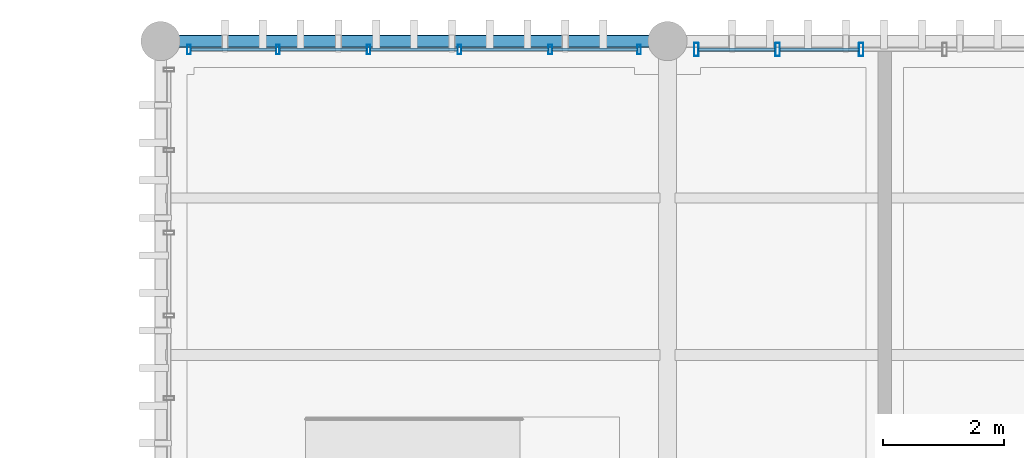
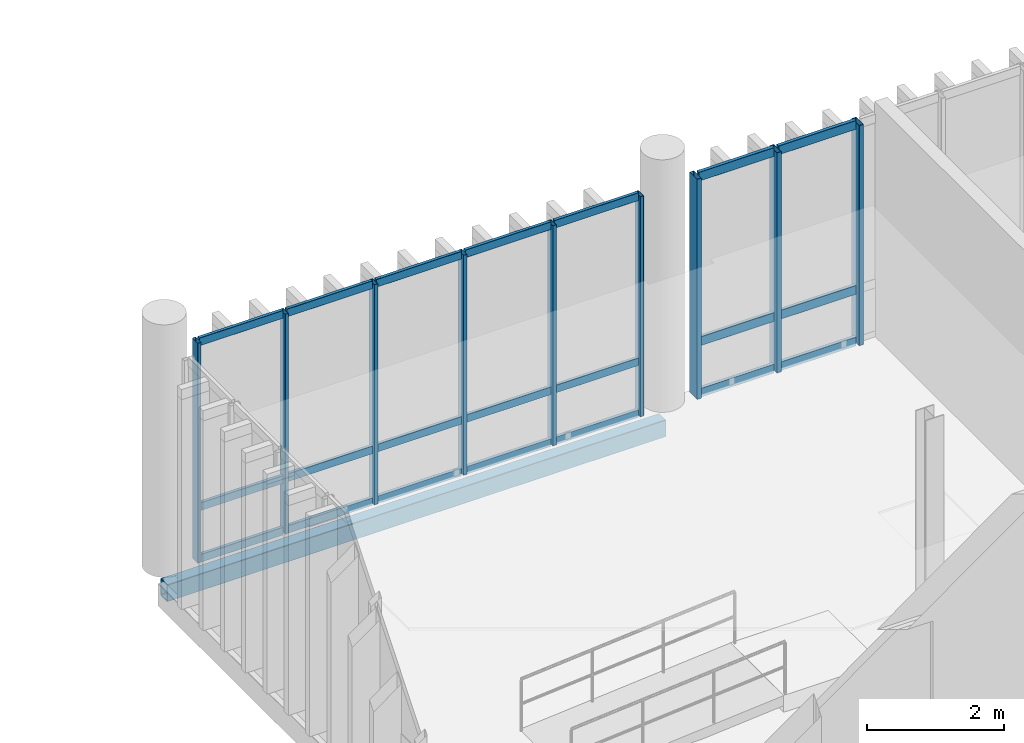
# One storey, part 10 of 19: 30 members, 1 beam, 2 elements without a shape of their own.
"""IFC4 building model written with IfcOpenShell, lengths in metres."""

from ifc_helpers import new_model, si_unit, direction, frame, origin_with_axes, origin_2d_with_axis, place, context, subcontext, project, spatial, hollow_rectangle, extrude, material, material_profile, profile_set, type_object, element, aggregate, save


model = new_model("IFC4")

# Units and contexts
model_context = context("Model", 3, precision=1e-05, world=origin_with_axes(), true_north=direction((0.0, 1.0)))
body_context = subcontext(model_context, "Body", "Model", "MODEL_VIEW")
ifc_project = project(units=[si_unit("LENGTHUNIT", "METRE"), si_unit("AREAUNIT", "SQUARE_METRE"), si_unit("VOLUMEUNIT", "CUBIC_METRE"), si_unit("PLANEANGLEUNIT", "RADIAN"), si_unit("MASSUNIT", "GRAM", prefix="KILO"), si_unit("THERMODYNAMICTEMPERATUREUNIT", "KELVIN")], contexts=[model_context])

# Site, building, storey
site_placement = place(None, origin_with_axes())
site = spatial("IfcSite", under=ifc_project, at=site_placement, CompositionType="ELEMENT")
building_placement = place(site_placement, origin_with_axes())
building = spatial("IfcBuilding", under=site, at=building_placement, Name="Montbau Bow Law Courts", CompositionType="ELEMENT")
storey_placement = place(building_placement, frame((0.0, 0.0, 43.5), z_axis=(0.0, 0.0, 1.0), x_axis=(1.0, 0.0, 0.0)))
storey = spatial("IfcBuildingStorey", under=building, at=storey_placement, Name="L09", CompositionType="ELEMENT", Elevation=43.5)

# Beam
ifc_material_1 = material(Name="Steel CSA G40.21 Grade 350WT (350 MPa)", Category="steel")
ifc_material_profile_1 = material_profile(ifc_material_1, hollow_rectangle(XDim=0.203, YDim=0.305, WallThickness=0.0127, InnerFilletRadius=0.0254, OuterFilletRadius=0.0127, at=origin_2d_with_axis()), Name="HSS305X203X13", Category="Main", Priority=0)
ifc_profile_set_1 = profile_set([ifc_material_profile_1], Name="Steel CSA G40.21 Grade 350WT (350 MPa)")
beam_type = type_object("IfcBeamType", Name="B-SPN-02", PredefinedType="SPANDREL", material=ifc_profile_set_1)
beam_placement = place(None, frame((138.6, 111.0, 43.047), z_axis=(1.0, 0.0, 0.0), x_axis=(0.0, 1.0, 0.0)))
element("IfcBeam", 1, at=beam_placement, inside=storey, type_object=beam_type, Name="SPN-L09-S1396:bm2_1399", PredefinedType="SPANDREL", context=body_context, shape_type="SweptSolid", body=[
    extrude(hollow_rectangle(XDim=0.203, YDim=0.305, WallThickness=0.0127, InnerFilletRadius=0.0254, OuterFilletRadius=0.0127, at=origin_2d_with_axis()), origin_with_axes(), (0.0, 0.0, 1.0), 8.4),
])

# Curtain wall, members
ifc_material_2 = material(Name="Thermally Broken Extruded Aluminium AA 6063-T6", Category="aluminium")
curtain_wall_type = type_object("IfcCurtainWallType", Name="CW-CRM-03", PredefinedType="NOTDEFINED", material=ifc_material_2)
curtain_wall_1_placement = place(None, frame((147.44, 110.86, 43.5), z_axis=(0.0, 0.0, 1.0), x_axis=(1.0, 0.0, 0.0)))
curtain_wall_1 = element("IfcCurtainWall", 2, at=curtain_wall_1_placement, inside=storey, type_object=curtain_wall_type, Name="CW-L09-390:cw_0390", PredefinedType="NOTDEFINED")
ifc_material_profile_2 = material_profile(ifc_material_2, hollow_rectangle(XDim=0.075, YDim=0.22, WallThickness=0.005, InnerFilletRadius=0.01, OuterFilletRadius=0.005, at=origin_2d_with_axis()), Name="CWM-220X75", Category="Main", Priority=0)
ifc_profile_set_2 = profile_set([ifc_material_profile_2], Name="Thermally Broken Extruded Aluminium AA 6063-T6")
member_type_1 = type_object("IfcMemberType", Name="M-MUL-01", PredefinedType="MULLION", material=ifc_profile_set_2)
member_1_placement = place(None, frame((147.477, 110.86, 43.5), z_axis=(0.0, 0.0, 1.0), x_axis=(1.0, 0.0, 0.0)))
member_1 = element("IfcMember", 3, at=member_1_placement, type_object=member_type_1, Name="CW-L09-390-M01:cw_0390_M01", PredefinedType="MULLION", context=body_context, shape_type="SweptSolid", body=[
    extrude(hollow_rectangle(XDim=0.075, YDim=0.22, WallThickness=0.005, InnerFilletRadius=0.01, OuterFilletRadius=0.005, at=origin_2d_with_axis()), origin_with_axes(), (0.0, 0.0, 1.0), 3.92),
])
member_2_placement = place(None, frame((148.824, 110.86, 43.5), z_axis=(0.0, 0.0, 1.0), x_axis=(1.0, 0.0, 0.0)))
member_2 = element("IfcMember", 4, at=member_2_placement, type_object=member_type_1, Name="CW-L09-390-M02:cw_0390_M02", PredefinedType="MULLION", context=body_context, shape_type="SweptSolid", body=[
    extrude(hollow_rectangle(XDim=0.075, YDim=0.22, WallThickness=0.005, InnerFilletRadius=0.01, OuterFilletRadius=0.005, at=origin_2d_with_axis()), origin_with_axes(), (0.0, 0.0, 1.0), 3.92),
])
member_3_placement = place(None, frame((150.208, 110.86, 43.5), z_axis=(0.0, 0.0, 1.0), x_axis=(1.0, 0.0, 0.0)))
member_3 = element("IfcMember", 5, at=member_3_placement, type_object=member_type_1, Name="CW-L09-390-M03:cw_0390_M03", PredefinedType="MULLION", context=body_context, shape_type="SweptSolid", body=[
    extrude(hollow_rectangle(XDim=0.075, YDim=0.22, WallThickness=0.005, InnerFilletRadius=0.01, OuterFilletRadius=0.005, at=origin_2d_with_axis()), origin_with_axes(), (0.0, 0.0, 1.0), 3.92),
])

curtain_wall_2_placement = place(None, frame((139.04, 110.86, 43.5), z_axis=(0.0, 0.0, 1.0), x_axis=(1.0, 0.0, 0.0)))
curtain_wall_2 = element("IfcCurtainWall", 6, at=curtain_wall_2_placement, inside=storey, type_object=curtain_wall_type, Name="CW-L09-389:cw_0389", PredefinedType="NOTDEFINED")
ifc_material_profile_3 = material_profile(ifc_material_2, hollow_rectangle(XDim=0.06, YDim=0.16, WallThickness=0.004, InnerFilletRadius=0.008, OuterFilletRadius=0.004, at=origin_2d_with_axis()), Name="CWM-160X60", Category="Main", Priority=0)
ifc_profile_set_3 = profile_set([ifc_material_profile_3], Name="Thermally Broken Extruded Aluminium AA 6063-T6")
member_type_2 = type_object("IfcMemberType", Name="M-MUL-03", PredefinedType="MULLION", material=ifc_profile_set_3)
member_4_placement = place(None, frame((139.07, 110.86, 43.5), z_axis=(0.0, 0.0, 1.0), x_axis=(1.0, 0.0, 0.0)))
member_4 = element("IfcMember", 7, at=member_4_placement, type_object=member_type_2, Name="CW-L09-389-M01:cw_0389_M01", PredefinedType="MULLION", context=body_context, shape_type="SweptSolid", body=[
    extrude(hollow_rectangle(XDim=0.06, YDim=0.16, WallThickness=0.004, InnerFilletRadius=0.008, OuterFilletRadius=0.004, at=origin_2d_with_axis()), origin_with_axes(), (0.0, 0.0, 1.0), 3.92),
])
member_5_placement = place(None, frame((140.544, 110.86, 43.5), z_axis=(0.0, 0.0, 1.0), x_axis=(1.0, 0.0, 0.0)))
member_5 = element("IfcMember", 8, at=member_5_placement, type_object=member_type_2, Name="CW-L09-389-M02:cw_0389_M02", PredefinedType="MULLION", context=body_context, shape_type="SweptSolid", body=[
    extrude(hollow_rectangle(XDim=0.06, YDim=0.16, WallThickness=0.004, InnerFilletRadius=0.008, OuterFilletRadius=0.004, at=origin_2d_with_axis()), origin_with_axes(), (0.0, 0.0, 1.0), 3.92),
])
member_6_placement = place(None, frame((142.048, 110.86, 43.5), z_axis=(0.0, 0.0, 1.0), x_axis=(1.0, 0.0, 0.0)))
member_6 = element("IfcMember", 9, at=member_6_placement, type_object=member_type_2, Name="CW-L09-389-M03:cw_0389_M03", PredefinedType="MULLION", context=body_context, shape_type="SweptSolid", body=[
    extrude(hollow_rectangle(XDim=0.06, YDim=0.16, WallThickness=0.004, InnerFilletRadius=0.008, OuterFilletRadius=0.004, at=origin_2d_with_axis()), origin_with_axes(), (0.0, 0.0, 1.0), 3.92),
])
member_7_placement = place(None, frame((143.552, 110.86, 43.5), z_axis=(0.0, 0.0, 1.0), x_axis=(1.0, 0.0, 0.0)))
member_7 = element("IfcMember", 10, at=member_7_placement, type_object=member_type_2, Name="CW-L09-389-M04:cw_0389_M04", PredefinedType="MULLION", context=body_context, shape_type="SweptSolid", body=[
    extrude(hollow_rectangle(XDim=0.06, YDim=0.16, WallThickness=0.004, InnerFilletRadius=0.008, OuterFilletRadius=0.004, at=origin_2d_with_axis()), origin_with_axes(), (0.0, 0.0, 1.0), 3.92),
])
member_8_placement = place(None, frame((145.056, 110.86, 43.5), z_axis=(0.0, 0.0, 1.0), x_axis=(1.0, 0.0, 0.0)))
member_8 = element("IfcMember", 11, at=member_8_placement, type_object=member_type_2, Name="CW-L09-389-M05:cw_0389_M05", PredefinedType="MULLION", context=body_context, shape_type="SweptSolid", body=[
    extrude(hollow_rectangle(XDim=0.06, YDim=0.16, WallThickness=0.004, InnerFilletRadius=0.008, OuterFilletRadius=0.004, at=origin_2d_with_axis()), origin_with_axes(), (0.0, 0.0, 1.0), 3.92),
])
member_9_placement = place(None, frame((146.53, 110.86, 43.5), z_axis=(0.0, 0.0, 1.0), x_axis=(1.0, 0.0, 0.0)))
member_9 = element("IfcMember", 12, at=member_9_placement, type_object=member_type_2, Name="CW-L09-389-M06:cw_0389_M06", PredefinedType="MULLION", context=body_context, shape_type="SweptSolid", body=[
    extrude(hollow_rectangle(XDim=0.06, YDim=0.16, WallThickness=0.004, InnerFilletRadius=0.008, OuterFilletRadius=0.004, at=origin_2d_with_axis()), origin_with_axes(), (0.0, 0.0, 1.0), 3.92),
])

# Member
ifc_material_profile_4 = material_profile(ifc_material_2, hollow_rectangle(XDim=0.06, YDim=0.16, WallThickness=0.004, InnerFilletRadius=0.008, OuterFilletRadius=0.004, at=origin_2d_with_axis()), Name="CWT-160X60", Category="Main", Priority=0)
ifc_profile_set_4 = profile_set([ifc_material_profile_4], Name="Thermally Broken Extruded Aluminium AA 6063-T6")
member_type_3 = type_object("IfcMemberType", Name="M-TRN-01", PredefinedType="USERDEFINED", material=ifc_profile_set_4)
member_10_placement = place(None, frame((147.516, 110.86, 43.53), z_axis=(1.0, 0.0, 0.0), x_axis=(0.0, 1.0, 0.0)))
member_10 = element("IfcMember", 13, at=member_10_placement, type_object=member_type_3, Name="CW-L09-390-T01-1:cw_0390_T01_1", ObjectType="TRANSOM", PredefinedType="USERDEFINED", context=body_context, shape_type="SweptSolid", body=[
    extrude(hollow_rectangle(XDim=0.06, YDim=0.16, WallThickness=0.004, InnerFilletRadius=0.008, OuterFilletRadius=0.004, at=origin_2d_with_axis()), origin_with_axes(), (0.0, 0.0, 1.0), 1.268),
])

member_11_placement = place(None, frame((147.516, 110.86, 44.45), z_axis=(1.0, 0.0, 0.0), x_axis=(0.0, 1.0, 0.0)))
member_11 = element("IfcMember", 14, at=member_11_placement, type_object=member_type_3, Name="CW-L09-390-T01-2:cw_0390_T01_2", ObjectType="TRANSOM", PredefinedType="USERDEFINED", context=body_context, shape_type="SweptSolid", body=[
    extrude(hollow_rectangle(XDim=0.06, YDim=0.16, WallThickness=0.004, InnerFilletRadius=0.008, OuterFilletRadius=0.004, at=origin_2d_with_axis()), origin_with_axes(), (0.0, 0.0, 1.0), 1.268),
])

member_12_placement = place(None, frame((147.516, 110.86, 47.39), z_axis=(1.0, 0.0, 0.0), x_axis=(0.0, 1.0, 0.0)))
member_12 = element("IfcMember", 15, at=member_12_placement, type_object=member_type_3, Name="CW-L09-390-T01-3:cw_0390_T01_3", ObjectType="TRANSOM", PredefinedType="USERDEFINED", context=body_context, shape_type="SweptSolid", body=[
    extrude(hollow_rectangle(XDim=0.06, YDim=0.16, WallThickness=0.004, InnerFilletRadius=0.008, OuterFilletRadius=0.004, at=origin_2d_with_axis()), origin_with_axes(), (0.0, 0.0, 1.0), 1.268),
])

member_13_placement = place(None, frame((148.863, 110.86, 43.53), z_axis=(1.0, 0.0, 0.0), x_axis=(0.0, 1.0, 0.0)))
member_13 = element("IfcMember", 16, at=member_13_placement, type_object=member_type_3, Name="CW-L09-390-T02-1:cw_0390_T02_1", ObjectType="TRANSOM", PredefinedType="USERDEFINED", context=body_context, shape_type="SweptSolid", body=[
    extrude(hollow_rectangle(XDim=0.06, YDim=0.16, WallThickness=0.004, InnerFilletRadius=0.008, OuterFilletRadius=0.004, at=origin_2d_with_axis()), origin_with_axes(), (0.0, 0.0, 1.0), 1.305),
])

member_14_placement = place(None, frame((148.863, 110.86, 44.45), z_axis=(1.0, 0.0, 0.0), x_axis=(0.0, 1.0, 0.0)))
member_14 = element("IfcMember", 17, at=member_14_placement, type_object=member_type_3, Name="CW-L09-390-T02-2:cw_0390_T02_2", ObjectType="TRANSOM", PredefinedType="USERDEFINED", context=body_context, shape_type="SweptSolid", body=[
    extrude(hollow_rectangle(XDim=0.06, YDim=0.16, WallThickness=0.004, InnerFilletRadius=0.008, OuterFilletRadius=0.004, at=origin_2d_with_axis()), origin_with_axes(), (0.0, 0.0, 1.0), 1.305),
])

member_15_placement = place(None, frame((148.863, 110.86, 47.39), z_axis=(1.0, 0.0, 0.0), x_axis=(0.0, 1.0, 0.0)))
member_15 = element("IfcMember", 18, at=member_15_placement, type_object=member_type_3, Name="CW-L09-390-T02-3:cw_0390_T02_3", ObjectType="TRANSOM", PredefinedType="USERDEFINED", context=body_context, shape_type="SweptSolid", body=[
    extrude(hollow_rectangle(XDim=0.06, YDim=0.16, WallThickness=0.004, InnerFilletRadius=0.008, OuterFilletRadius=0.004, at=origin_2d_with_axis()), origin_with_axes(), (0.0, 0.0, 1.0), 1.305),
])

aggregate(curtain_wall_1, [member_1, member_2, member_3, member_10, member_11, member_12, member_13, member_14, member_15])

ifc_material_profile_5 = material_profile(ifc_material_2, hollow_rectangle(XDim=0.055, YDim=0.14, WallThickness=0.004, InnerFilletRadius=0.008, OuterFilletRadius=0.004, at=origin_2d_with_axis()), Name="CWT-140X55", Category="Main", Priority=0)
ifc_profile_set_5 = profile_set([ifc_material_profile_5], Name="Thermally Broken Extruded Aluminium AA 6063-T6")
member_type_4 = type_object("IfcMemberType", Name="M-TRN-02", PredefinedType="USERDEFINED", material=ifc_profile_set_5)
member_16_placement = place(None, frame((139.102, 110.86, 43.528), z_axis=(1.0, 0.0, 0.0), x_axis=(0.0, 1.0, 0.0)))
member_16 = element("IfcMember", 19, at=member_16_placement, type_object=member_type_4, Name="CW-L09-389-T01-1:cw_0389_T01_1", ObjectType="TRANSOM", PredefinedType="USERDEFINED", context=body_context, shape_type="SweptSolid", body=[
    extrude(hollow_rectangle(XDim=0.055, YDim=0.14, WallThickness=0.004, InnerFilletRadius=0.008, OuterFilletRadius=0.004, at=origin_2d_with_axis()), origin_with_axes(), (0.0, 0.0, 1.0), 1.41),
])

member_17_placement = place(None, frame((139.102, 110.86, 44.45), z_axis=(1.0, 0.0, 0.0), x_axis=(0.0, 1.0, 0.0)))
member_17 = element("IfcMember", 20, at=member_17_placement, type_object=member_type_4, Name="CW-L09-389-T01-2:cw_0389_T01_2", ObjectType="TRANSOM", PredefinedType="USERDEFINED", context=body_context, shape_type="SweptSolid", body=[
    extrude(hollow_rectangle(XDim=0.055, YDim=0.14, WallThickness=0.004, InnerFilletRadius=0.008, OuterFilletRadius=0.004, at=origin_2d_with_axis()), origin_with_axes(), (0.0, 0.0, 1.0), 1.41),
])

member_18_placement = place(None, frame((139.102, 110.86, 47.392), z_axis=(1.0, 0.0, 0.0), x_axis=(0.0, 1.0, 0.0)))
member_18 = element("IfcMember", 21, at=member_18_placement, type_object=member_type_4, Name="CW-L09-389-T01-3:cw_0389_T01_3", ObjectType="TRANSOM", PredefinedType="USERDEFINED", context=body_context, shape_type="SweptSolid", body=[
    extrude(hollow_rectangle(XDim=0.055, YDim=0.14, WallThickness=0.004, InnerFilletRadius=0.008, OuterFilletRadius=0.004, at=origin_2d_with_axis()), origin_with_axes(), (0.0, 0.0, 1.0), 1.41),
])

member_19_placement = place(None, frame((140.576, 110.86, 43.528), z_axis=(1.0, 0.0, 0.0), x_axis=(0.0, 1.0, 0.0)))
member_19 = element("IfcMember", 22, at=member_19_placement, type_object=member_type_4, Name="CW-L09-389-T02-1:cw_0389_T02_1", ObjectType="TRANSOM", PredefinedType="USERDEFINED", context=body_context, shape_type="SweptSolid", body=[
    extrude(hollow_rectangle(XDim=0.055, YDim=0.14, WallThickness=0.004, InnerFilletRadius=0.008, OuterFilletRadius=0.004, at=origin_2d_with_axis()), origin_with_axes(), (0.0, 0.0, 1.0), 1.44),
])

member_20_placement = place(None, frame((140.576, 110.86, 44.45), z_axis=(1.0, 0.0, 0.0), x_axis=(0.0, 1.0, 0.0)))
member_20 = element("IfcMember", 23, at=member_20_placement, type_object=member_type_4, Name="CW-L09-389-T02-2:cw_0389_T02_2", ObjectType="TRANSOM", PredefinedType="USERDEFINED", context=body_context, shape_type="SweptSolid", body=[
    extrude(hollow_rectangle(XDim=0.055, YDim=0.14, WallThickness=0.004, InnerFilletRadius=0.008, OuterFilletRadius=0.004, at=origin_2d_with_axis()), origin_with_axes(), (0.0, 0.0, 1.0), 1.44),
])

member_21_placement = place(None, frame((140.576, 110.86, 47.392), z_axis=(1.0, 0.0, 0.0), x_axis=(0.0, 1.0, 0.0)))
member_21 = element("IfcMember", 24, at=member_21_placement, type_object=member_type_4, Name="CW-L09-389-T02-3:cw_0389_T02_3", ObjectType="TRANSOM", PredefinedType="USERDEFINED", context=body_context, shape_type="SweptSolid", body=[
    extrude(hollow_rectangle(XDim=0.055, YDim=0.14, WallThickness=0.004, InnerFilletRadius=0.008, OuterFilletRadius=0.004, at=origin_2d_with_axis()), origin_with_axes(), (0.0, 0.0, 1.0), 1.44),
])

member_22_placement = place(None, frame((142.08, 110.86, 43.528), z_axis=(1.0, 0.0, 0.0), x_axis=(0.0, 1.0, 0.0)))
member_22 = element("IfcMember", 25, at=member_22_placement, type_object=member_type_4, Name="CW-L09-389-T03-1:cw_0389_T03_1", ObjectType="TRANSOM", PredefinedType="USERDEFINED", context=body_context, shape_type="SweptSolid", body=[
    extrude(hollow_rectangle(XDim=0.055, YDim=0.14, WallThickness=0.004, InnerFilletRadius=0.008, OuterFilletRadius=0.004, at=origin_2d_with_axis()), origin_with_axes(), (0.0, 0.0, 1.0), 1.44),
])

member_23_placement = place(None, frame((142.08, 110.86, 44.45), z_axis=(1.0, 0.0, 0.0), x_axis=(0.0, 1.0, 0.0)))
member_23 = element("IfcMember", 26, at=member_23_placement, type_object=member_type_4, Name="CW-L09-389-T03-2:cw_0389_T03_2", ObjectType="TRANSOM", PredefinedType="USERDEFINED", context=body_context, shape_type="SweptSolid", body=[
    extrude(hollow_rectangle(XDim=0.055, YDim=0.14, WallThickness=0.004, InnerFilletRadius=0.008, OuterFilletRadius=0.004, at=origin_2d_with_axis()), origin_with_axes(), (0.0, 0.0, 1.0), 1.44),
])

member_24_placement = place(None, frame((142.08, 110.86, 47.392), z_axis=(1.0, 0.0, 0.0), x_axis=(0.0, 1.0, 0.0)))
member_24 = element("IfcMember", 27, at=member_24_placement, type_object=member_type_4, Name="CW-L09-389-T03-3:cw_0389_T03_3", ObjectType="TRANSOM", PredefinedType="USERDEFINED", context=body_context, shape_type="SweptSolid", body=[
    extrude(hollow_rectangle(XDim=0.055, YDim=0.14, WallThickness=0.004, InnerFilletRadius=0.008, OuterFilletRadius=0.004, at=origin_2d_with_axis()), origin_with_axes(), (0.0, 0.0, 1.0), 1.44),
])

member_25_placement = place(None, frame((143.584, 110.86, 43.528), z_axis=(1.0, 0.0, 0.0), x_axis=(0.0, 1.0, 0.0)))
member_25 = element("IfcMember", 28, at=member_25_placement, type_object=member_type_4, Name="CW-L09-389-T04-1:cw_0389_T04_1", ObjectType="TRANSOM", PredefinedType="USERDEFINED", context=body_context, shape_type="SweptSolid", body=[
    extrude(hollow_rectangle(XDim=0.055, YDim=0.14, WallThickness=0.004, InnerFilletRadius=0.008, OuterFilletRadius=0.004, at=origin_2d_with_axis()), origin_with_axes(), (0.0, 0.0, 1.0), 1.44),
])

member_26_placement = place(None, frame((143.584, 110.86, 44.45), z_axis=(1.0, 0.0, 0.0), x_axis=(0.0, 1.0, 0.0)))
member_26 = element("IfcMember", 29, at=member_26_placement, type_object=member_type_4, Name="CW-L09-389-T04-2:cw_0389_T04_2", ObjectType="TRANSOM", PredefinedType="USERDEFINED", context=body_context, shape_type="SweptSolid", body=[
    extrude(hollow_rectangle(XDim=0.055, YDim=0.14, WallThickness=0.004, InnerFilletRadius=0.008, OuterFilletRadius=0.004, at=origin_2d_with_axis()), origin_with_axes(), (0.0, 0.0, 1.0), 1.44),
])

member_27_placement = place(None, frame((143.584, 110.86, 47.392), z_axis=(1.0, 0.0, 0.0), x_axis=(0.0, 1.0, 0.0)))
member_27 = element("IfcMember", 30, at=member_27_placement, type_object=member_type_4, Name="CW-L09-389-T04-3:cw_0389_T04_3", ObjectType="TRANSOM", PredefinedType="USERDEFINED", context=body_context, shape_type="SweptSolid", body=[
    extrude(hollow_rectangle(XDim=0.055, YDim=0.14, WallThickness=0.004, InnerFilletRadius=0.008, OuterFilletRadius=0.004, at=origin_2d_with_axis()), origin_with_axes(), (0.0, 0.0, 1.0), 1.44),
])

member_28_placement = place(None, frame((145.088, 110.86, 43.528), z_axis=(1.0, 0.0, 0.0), x_axis=(0.0, 1.0, 0.0)))
member_28 = element("IfcMember", 31, at=member_28_placement, type_object=member_type_4, Name="CW-L09-389-T05-1:cw_0389_T05_1", ObjectType="TRANSOM", PredefinedType="USERDEFINED", context=body_context, shape_type="SweptSolid", body=[
    extrude(hollow_rectangle(XDim=0.055, YDim=0.14, WallThickness=0.004, InnerFilletRadius=0.008, OuterFilletRadius=0.004, at=origin_2d_with_axis()), origin_with_axes(), (0.0, 0.0, 1.0), 1.41),
])

member_29_placement = place(None, frame((145.088, 110.86, 44.45), z_axis=(1.0, 0.0, 0.0), x_axis=(0.0, 1.0, 0.0)))
member_29 = element("IfcMember", 32, at=member_29_placement, type_object=member_type_4, Name="CW-L09-389-T05-2:cw_0389_T05_2", ObjectType="TRANSOM", PredefinedType="USERDEFINED", context=body_context, shape_type="SweptSolid", body=[
    extrude(hollow_rectangle(XDim=0.055, YDim=0.14, WallThickness=0.004, InnerFilletRadius=0.008, OuterFilletRadius=0.004, at=origin_2d_with_axis()), origin_with_axes(), (0.0, 0.0, 1.0), 1.41),
])

member_30_placement = place(None, frame((145.088, 110.86, 47.392), z_axis=(1.0, 0.0, 0.0), x_axis=(0.0, 1.0, 0.0)))
member_30 = element("IfcMember", 33, at=member_30_placement, type_object=member_type_4, Name="CW-L09-389-T05-3:cw_0389_T05_3", ObjectType="TRANSOM", PredefinedType="USERDEFINED", context=body_context, shape_type="SweptSolid", body=[
    extrude(hollow_rectangle(XDim=0.055, YDim=0.14, WallThickness=0.004, InnerFilletRadius=0.008, OuterFilletRadius=0.004, at=origin_2d_with_axis()), origin_with_axes(), (0.0, 0.0, 1.0), 1.41),
])

aggregate(curtain_wall_2, [member_4, member_5, member_6, member_7, member_8, member_9, member_16, member_17, member_18, member_19, member_20, member_21, member_22, member_23, member_24, member_25, member_26, member_27, member_28, member_29, member_30])

save(model, "model.ifc")
